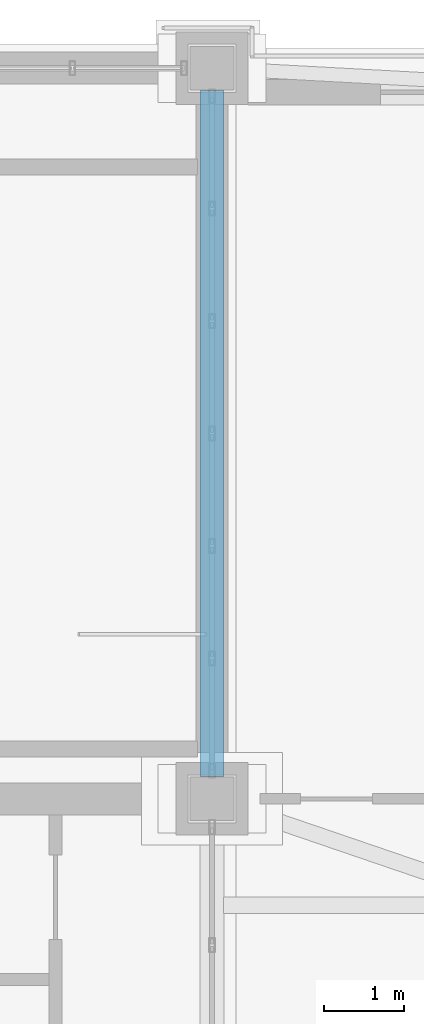
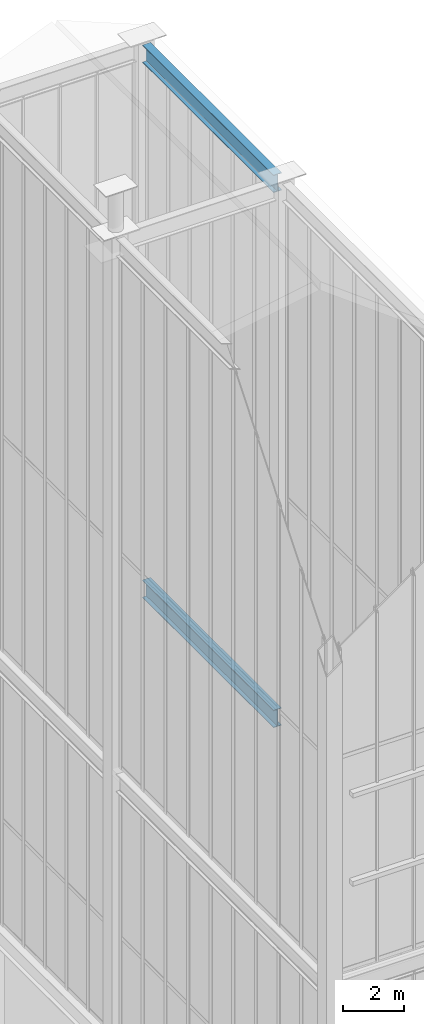
# One storey, part 98 of 135: 2 beams.
"""IFC4 building model written with IfcOpenShell, lengths in metres."""

import ifcopenshell
import ifcopenshell.guid

model = None  # the IFC model being written
_history = None  # IfcOwnerHistory: only IFC2X3 demands one
_inside = {}  # id of a spatial element -> (the spatial element, [elements in it])
_under = {}  # id of a project, library or spatial element -> (it, [spatial elements below it])
_declared = {}  # id of a project -> (the project, [libraries it declares])
_typed = {}  # id of a type object -> (the type object, [elements of that type])
_made_of = {}  # id of a material, layer set ... -> (it, [elements and type objects made of it])


def new_model(schema):
    """Start an empty IFC model of exactly this schema.

    Asked for "IFC4X3", IfcOpenShell would pick the latest addendum, in which some entities
    have other attributes; the version numbers below select the first issue.
    IFC2X3 requires an IfcOwnerHistory on every rooted entity: one is made here for all.
    """
    global model, _history
    if schema == "IFC4X3":
        model = ifcopenshell.file(schema_version=(4, 3, 0, 0))
    else:
        model = ifcopenshell.file(schema=schema)
    _inside.clear()
    _under.clear()
    _declared.clear()
    _typed.clear()
    _made_of.clear()
    _history = None
    if model.schema == "IFC2X3":
        org = make("IfcOrganization", Name="unknown")
        user = make(
            "IfcPersonAndOrganization",
            ThePerson=make("IfcPerson", FamilyName="unknown"),
            TheOrganization=org,
        )
        app = make(
            "IfcApplication",
            ApplicationDeveloper=org,
            Version="unknown",
            ApplicationFullName="unknown",
            ApplicationIdentifier="unknown",
        )
        _history = make(
            "IfcOwnerHistory",
            OwningUser=user,
            OwningApplication=app,
            ChangeAction="ADDED",
            CreationDate=0,
        )
    return model


def make(cls, **values):
    """One entity of the class cls with the attributes given. An attribute that is None is left unset."""
    return model.create_entity(
        cls, **{name: value for name, value in values.items() if value is not None}
    )


def rooted(cls, **values):
    """An entity with a GlobalId (a new one), such as an element, a storey or a relation."""
    return make(cls, GlobalId=ifcopenshell.guid.new(), OwnerHistory=_history, **values)


def si_unit(unit_type, name, prefix=None):
    """IfcSIUnit, for example si_unit("LENGTHUNIT", "METRE", prefix="MILLI")."""
    return make("IfcSIUnit", UnitType=unit_type, Prefix=prefix, Name=name)


def assignment(units):
    """IfcUnitAssignment: the units of a project."""
    return None if units is None else make("IfcUnitAssignment", Units=units)


def point(xyz):
    """IfcCartesianPoint."""
    return None if xyz is None else make("IfcCartesianPoint", Coordinates=xyz)


def direction(xyz):
    """IfcDirection."""
    return None if xyz is None else make("IfcDirection", DirectionRatios=xyz)


def frame(location, z_axis=None, x_axis=None):
    """IfcAxis2Placement3D, a coordinate frame: its origin and axes. An axis left out is left unset."""
    return make(
        "IfcAxis2Placement3D",
        Location=point(location),
        Axis=direction(z_axis),
        RefDirection=direction(x_axis),
    )


def frame_2d(location, x_axis=None):
    """IfcAxis2Placement2D, a coordinate frame in the plane: its origin and x axis."""
    return make(
        "IfcAxis2Placement2D", Location=point(location), RefDirection=direction(x_axis)
    )


def origin():
    """The frame at (0, 0, 0) with its axes left unset."""
    return frame((0.0, 0.0, 0.0))


def origin_2d():
    """The frame at (0, 0) in the plane with its x axis left unset."""
    return frame_2d((0.0, 0.0))


def place(relative_to, where):
    """IfcLocalPlacement: puts the frame where relative to a parent placement (None: the world)."""
    return make(
        "IfcLocalPlacement", PlacementRelTo=relative_to, RelativePlacement=where
    )


def context(
    kind, dimensions, precision=None, world=None, true_north=None, identifier=None
):
    """IfcGeometricRepresentationContext, for example the 3D "Model" context."""
    return make(
        "IfcGeometricRepresentationContext",
        ContextIdentifier=identifier,
        ContextType=kind,
        CoordinateSpaceDimension=dimensions,
        Precision=precision,
        WorldCoordinateSystem=world,
        TrueNorth=true_north,
    )


def subcontext(parent, identifier, kind, view, scale=None):
    """IfcGeometricRepresentationSubContext, for example "Body" below "Model"."""
    return make(
        "IfcGeometricRepresentationSubContext",
        ContextIdentifier=identifier,
        ContextType=kind,
        ParentContext=parent,
        TargetScale=scale,
        TargetView=view,
    )


def project(units=None, contexts=None):
    """IfcProject with its units and contexts."""
    return rooted(
        "IfcProject",
        Name="project",
        RepresentationContexts=contexts,
        UnitsInContext=assignment(units),
    )


def spatial(cls, under=None, at=None, **own):
    """A site, building, storey or space (cls), placed at a placement, below another one or the project."""
    s = rooted(cls, ObjectPlacement=at, **own)
    if under is not None:
        _under.setdefault(under.id(), (under, []))[1].append(s)
    return s


def profile(cls, at=None, kind="AREA", **sizes):
    """A parametric profile (cls). Its sizes go by their IFC names, for example OverallWidth=200.0."""
    return make(cls, ProfileType=kind, Position=at, **sizes)


def i_section(**sizes):
    """IfcIShapeProfileDef."""
    return profile("IfcIShapeProfileDef", **sizes)


def extrude(swept, where, along, depth):
    """IfcExtrudedAreaSolid: the profile swept, set in the frame where, extruded along a direction by depth."""
    return make(
        "IfcExtrudedAreaSolid",
        SweptArea=swept,
        Position=where,
        ExtrudedDirection=direction(along),
        Depth=depth,
    )


def shape(context_of_items, identifier, shape_type, items):
    """IfcShapeRepresentation: the items that make up one representation, for example the "Body"."""
    return make(
        "IfcShapeRepresentation",
        ContextOfItems=context_of_items,
        RepresentationIdentifier=identifier,
        RepresentationType=shape_type,
        Items=items,
    )


def source(mapping_origin, context_of_items, identifier, shape_type, items):
    """IfcRepresentationMap: a shape defined once, which mapped items show again and again."""
    return make(
        "IfcRepresentationMap",
        MappingOrigin=mapping_origin,
        MappedRepresentation=shape(context_of_items, identifier, shape_type, items),
    )


def transform(
    local_origin,
    x_axis=None,
    y_axis=None,
    z_axis=None,
    scale=None,
    scale2=None,
    scale3=None,
    uniform=True,
):
    """IfcCartesianTransformationOperator3D, or its non-uniform kind. x_axis, y_axis, z_axis: its Axis1, 2, 3."""
    if uniform:
        return make(
            "IfcCartesianTransformationOperator3D",
            Axis1=direction(x_axis),
            Axis2=direction(y_axis),
            LocalOrigin=point(local_origin),
            Scale=scale,
            Axis3=direction(z_axis),
        )
    return make(
        "IfcCartesianTransformationOperator3DnonUniform",
        Axis1=direction(x_axis),
        Axis2=direction(y_axis),
        LocalOrigin=point(local_origin),
        Scale=scale,
        Axis3=direction(z_axis),
        Scale2=scale2,
        Scale3=scale3,
    )


def mapped(mapping_source, mapping_target):
    """IfcMappedItem: shows the shape of a source again, moved by a transform."""
    return make(
        "IfcMappedItem", MappingSource=mapping_source, MappingTarget=mapping_target
    )


def material(Name=None, Category=None):
    """IfcMaterial."""
    return make("IfcMaterial", Name=Name, Category=Category)


def material_profile(
    of_material, cross_section, Name=None, Category=None, Priority=None
):
    """IfcMaterialProfile: a cross section and its material."""
    return make(
        "IfcMaterialProfile",
        Name=Name,
        Material=of_material,
        Profile=cross_section,
        Priority=Priority,
        Category=Category,
    )


def profile_set(profiles, Name=None, composite=None):
    """IfcMaterialProfileSet."""
    return make(
        "IfcMaterialProfileSet",
        Name=Name,
        MaterialProfiles=profiles,
        CompositeProfile=composite,
    )


def made_of(thing, what):
    """Note that an element or type object is made of a material, layer set ...; save() writes the relation."""
    if what is not None:
        _made_of.setdefault(what.id(), (what, []))[1].append(thing)
    return thing


def type_object(cls, material=None, **own):
    """A type object (cls), such as IfcWallType, which elements share."""
    return made_of(rooted(cls, **own), material)


def element(
    cls,
    number,
    at=None,
    inside=None,
    cuts=None,
    type_object=None,
    material=None,
    context=None,
    identifier="Body",
    shape_type=None,
    held_by="IfcProductDefinitionShape",
    body=None,
    shapes=None,
    **own,
):
    """One element of the class cls, such as IfcWall. Its Tag is "e" and its number.

    at: its placement. inside: the storey or other place that contains it. cuts: it is an
    opening in that element (IfcRelVoidsElement). A single representation is given by context,
    identifier, shape_type and body (its items); several are given by shapes. held_by: the class
    of the entity that holds the representations. save() writes the other relations.
    """
    e = rooted(cls, Tag="e%d" % number, ObjectPlacement=at, **own)
    if body is not None:
        shapes = [shape(context, identifier, shape_type, body)]
    if shapes is not None:
        e.Representation = make(held_by, Representations=shapes)
    if inside is not None:
        _inside.setdefault(inside.id(), (inside, []))[1].append(e)
    if cuts is not None:
        rooted(
            "IfcRelVoidsElement", RelatingBuildingElement=cuts, RelatedOpeningElement=e
        )
    if type_object is not None:
        _typed.setdefault(type_object.id(), (type_object, []))[1].append(e)
    return made_of(e, material)


def aggregate(whole, parts):
    """IfcRelAggregates: a whole, such as a stair, and the parts it consists of."""
    return rooted("IfcRelAggregates", RelatingObject=whole, RelatedObjects=parts)


def save(model, path):
    """Write the relations noted so far, then the file.

    IfcRelAggregates (storeys below a building ...), IfcRelContainedInSpatialStructure (elements
    in a storey), IfcRelDefinesByType, IfcRelAssociatesMaterial and IfcRelDeclares: one each for
    every whole, place, type object, material and project.
    """
    for whole, parts in _under.values():
        aggregate(whole, parts)
    for where, things in _inside.values():
        rooted(
            "IfcRelContainedInSpatialStructure",
            RelatedElements=things,
            RelatingStructure=where,
        )
    for kind, things in _typed.values():
        rooted("IfcRelDefinesByType", RelatedObjects=things, RelatingType=kind)
    for what, things in _made_of.values():
        rooted("IfcRelAssociatesMaterial", RelatedObjects=things, RelatingMaterial=what)
    for by, libraries in _declared.values():
        rooted("IfcRelDeclares", RelatingContext=by, RelatedDefinitions=libraries)
    model.write(path)


model = new_model("IFC4")

# Units and contexts
model_context = context("Model", 3, precision=1e-05, world=origin(), true_north=direction((0.0, 1.0)))
body_context = subcontext(model_context, "Body", "Model", "MODEL_VIEW")
ifc_project = project(units=[si_unit("LENGTHUNIT", "METRE"), si_unit("AREAUNIT", "SQUARE_METRE"), si_unit("VOLUMEUNIT", "CUBIC_METRE"), si_unit("PLANEANGLEUNIT", "RADIAN"), si_unit("MASSUNIT", "GRAM", prefix="KILO")], contexts=[model_context])

# Site, building, storey
site_placement = place(None, origin())
site = spatial("IfcSite", under=ifc_project, at=site_placement, CompositionType="ELEMENT")
building_placement = place(site_placement, origin())
building = spatial("IfcBuilding", under=site, at=building_placement, Name="Giltprow Tower", CompositionType="ELEMENT")
storey_placement = place(building_placement, frame((0.0, 0.0, 352.699951171875)))
storey = spatial("IfcBuildingStorey", under=building, at=storey_placement, Name="L92", CompositionType="ELEMENT", Elevation=352.699951171875)

# Beams
ifc_material = material(Name="Structural steel Q355B", Category="steel")
ifc_material_profile = material_profile(ifc_material, i_section(OverallWidth=0.300048828125, OverallDepth=0.699951171875, WebThickness=0.012939453125, FlangeThickness=0.02392578125, at=origin_2d()), Name="HN 700x300x13x24")
ifc_profile_set = profile_set([ifc_material_profile], Name="Structural steel Q355B")
beam_type = type_object("IfcBeamType", Name="BM-CRN-RING-HN700", PredefinedType="BEAM", material=ifc_profile_set)
shared_shape = source(origin(), body_context, "Body", "SweptSolid", [
    extrude(i_section(OverallWidth=0.300048828125, OverallDepth=0.699951171875, WebThickness=0.012939453125, FlangeThickness=0.02392578125, at=origin_2d()), origin(), (0.0, 0.0, 1.0), 8.5400390625),
])
for number, where, z_axis, x_axis, name in (
    (1, (50.550048828125, 37.72998046875, 16.699951171875), (0.0, 1.0, 0.0), (-1.0, 0.0, 0.0), "Crown Frame East Ring Beam 1-3"),
    (2, (50.550048828125, 37.72998046875, 37.966064453125), (0.0, 1.0, 0.0), (-1.0, 0.0, 0.0), "Crown Frame East Ring Beam 2-3"),
):
    element("IfcBeam", number, at=place(storey_placement, frame(where, z_axis=z_axis, x_axis=x_axis)), inside=storey, type_object=beam_type, Name=name, PredefinedType="BEAM", context=body_context, shape_type="MappedRepresentation", body=[
        mapped(shared_shape, transform((0.0, 0.0, 0.0), x_axis=(1.0, 0.0, 0.0), y_axis=(0.0, 1.0, 0.0), z_axis=(0.0, 0.0, 1.0), scale=1.0)),
    ])

save(model, "model.ifc")
